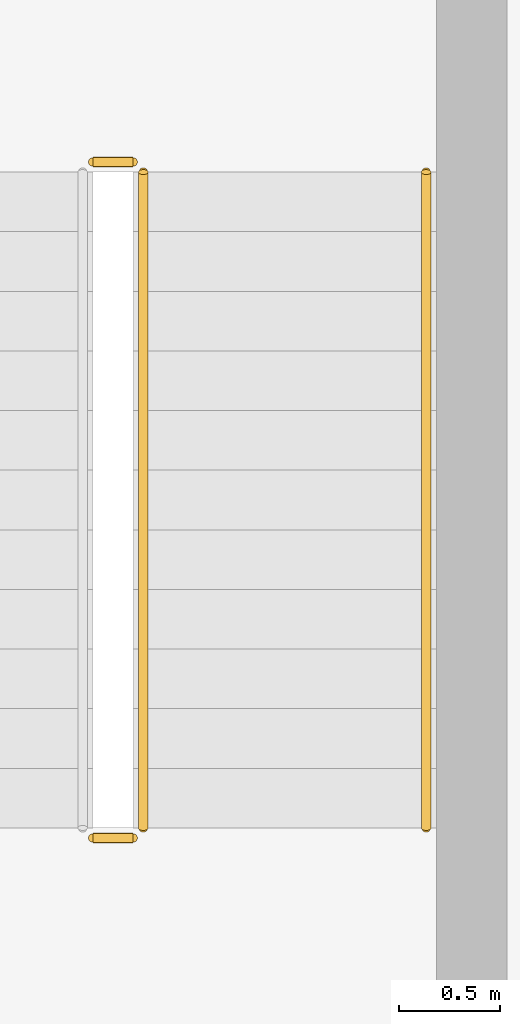
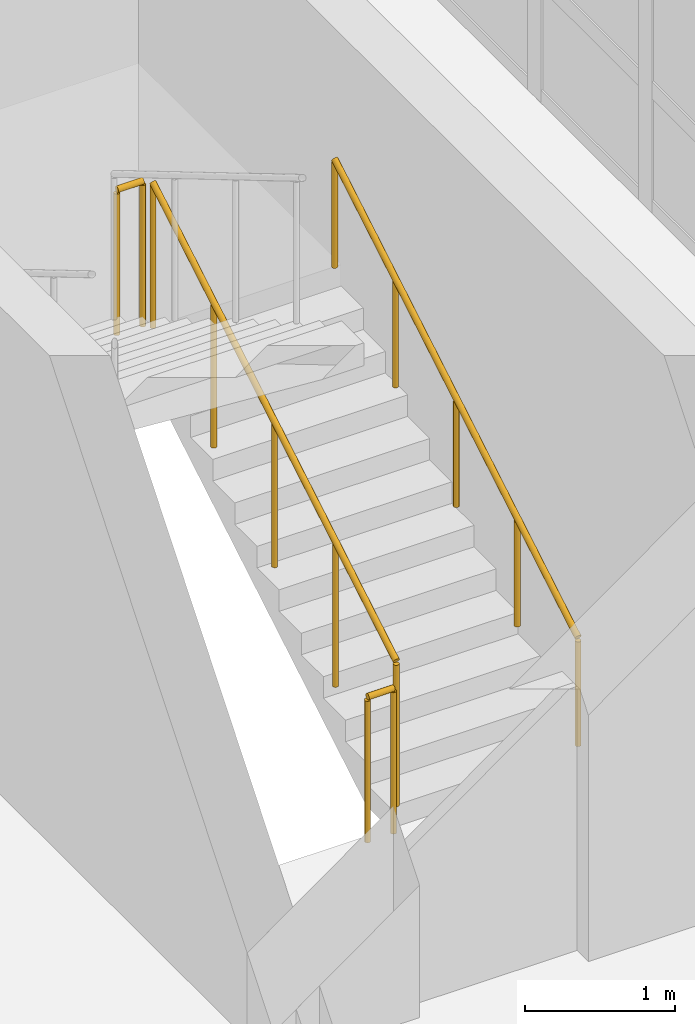
# One storey, part 83 of 88: 4 railings.
"""IFC4 building model written with IfcOpenShell, lengths in metres."""

from ifc_helpers import new_model, si_unit, direction, frame, origin, origin_2d, place, context, subcontext, project, spatial, circle, extrude, material, layer, layer_set, type_object, element, save


model = new_model("IFC4")

# Units and contexts
model_context = context("Model", 3, precision=1e-05, world=origin(), true_north=direction((0.0, 1.0)))
body_context = subcontext(model_context, "Body", "Model", "MODEL_VIEW")
ifc_project = project(units=[si_unit("LENGTHUNIT", "METRE"), si_unit("AREAUNIT", "SQUARE_METRE"), si_unit("VOLUMEUNIT", "CUBIC_METRE"), si_unit("PLANEANGLEUNIT", "RADIAN"), si_unit("MASSUNIT", "GRAM", prefix="KILO")], contexts=[model_context])

# Site, building, storey
site_placement = place(None, origin())
site = spatial("IfcSite", under=ifc_project, at=site_placement, CompositionType="ELEMENT")
building_placement = place(site_placement, origin())
building = spatial("IfcBuilding", under=site, at=building_placement, Name="Nordkorset Police Headquarters", CompositionType="ELEMENT")
storey_placement = place(building_placement, frame((0.0, 0.0, 9.449951171875)))
storey = spatial("IfcBuildingStorey", under=building, at=storey_placement, Name="L02", CompositionType="ELEMENT", Elevation=9.449951171875)

# Railings
ifc_material_1 = material(Name="Steel S355J2", Category="steel")
ifc_layer_1 = layer(ifc_material_1, 0.048095703125, Name="Steel S355J2")
ifc_layer_set_1 = layer_set([ifc_layer_1], Name="Steel S355J2")
railing_type_1 = type_object("IfcRailingType", Name="Railing_Handrail_900", PredefinedType="HANDRAIL", material=ifc_layer_set_1)
railing_1_placement = place(storey_placement, frame((111.52490234375, 54.02490234375, 0.175048828125)))
element("IfcRailing", 1, at=railing_1_placement, inside=storey, type_object=railing_type_1, Name="L02 ST-09 stair handrail 1", PredefinedType="HANDRAIL", context=body_context, shape_type="SweptSolid", body=[
    extrude(circle(Radius=0.02392578125, at=origin_2d()), frame((0.0, 0.0, 0.8759765625), z_axis=(0.0, 0.860057060016, 0.510197857224), x_axis=(-1.0, 0.0, 0.0)), (0.0, 0.0, 1.0), 3.773193359375),
    extrude(circle(Radius=0.02099609375, at=origin_2d()), origin(), (0.0, 0.0, 1.0), 0.851806640625),
    extrude(circle(Radius=0.02099609375, at=origin_2d()), frame((0.0, 0.811279296875, 0.481201171875)), (0.0, 0.0, 1.0), 0.851806640625),
    extrude(circle(Radius=0.02099609375, at=origin_2d()), frame((0.0, 1.62255859375, 0.96240234375)), (0.0, 0.0, 1.0), 0.851806640625),
    extrude(circle(Radius=0.02099609375, at=origin_2d()), frame((0.0, 2.433837890625, 1.44384765625)), (0.0, 0.0, 1.0), 0.851806640625),
    extrude(circle(Radius=0.02099609375, at=origin_2d()), frame((0.0, 3.2451171875, 1.925048828125)), (0.0, 0.0, 1.0), 0.851806640625),
])
ifc_material_2 = material(Name="Steel S355J2", Category="steel")
ifc_layer_2 = layer(ifc_material_2, 0.050048828125, Name="Steel S355J2")
ifc_layer_set_2 = layer_set([ifc_layer_2], Name="Steel S355J2")
railing_type_2 = type_object("IfcRailingType", Name="Railing_StairGuard_1200", PredefinedType="GUARDRAIL", material=ifc_layer_set_2)
railing_2_placement = place(storey_placement, frame((110.125, 54.02490234375, 0.175048828125)))
element("IfcRailing", 2, at=railing_2_placement, inside=storey, type_object=railing_type_2, Name="L02 ST-09 stair guard 1", PredefinedType="GUARDRAIL", context=body_context, shape_type="SweptSolid", body=[
    extrude(circle(Radius=0.02392578125, at=origin_2d()), frame((0.0, 0.0, 1.17578125), z_axis=(0.0, 0.860057060016, 0.510197857224), x_axis=(-1.0, 0.0, 0.0)), (0.0, 0.0, 1.0), 3.773193359375),
    extrude(circle(Radius=0.02099609375, at=origin_2d()), origin(), (0.0, 0.0, 1.0), 1.15185546875),
    extrude(circle(Radius=0.02099609375, at=origin_2d()), frame((0.0, 0.811279296875, 0.481201171875)), (0.0, 0.0, 1.0), 1.15185546875),
    extrude(circle(Radius=0.02099609375, at=origin_2d()), frame((0.0, 1.62255859375, 0.96240234375)), (0.0, 0.0, 1.0), 1.15185546875),
    extrude(circle(Radius=0.02099609375, at=origin_2d()), frame((0.0, 2.433837890625, 1.44384765625)), (0.0, 0.0, 1.0), 1.15185546875),
    extrude(circle(Radius=0.02099609375, at=origin_2d()), frame((0.0, 3.2451171875, 1.925048828125)), (0.0, 0.0, 1.0), 1.15185546875),
])
for number, where, name in (
    (3, (110.074951171875, 57.320068359375, 2.10009765625), "L02 ST-09 stair guard 2"),
    (4, (110.074951171875, 53.97509765625, 0.0), "L02 ST-09 stair guard 4"),
):
    element("IfcRailing", number, at=place(storey_placement, frame(where)), inside=storey, type_object=railing_type_2, Name=name, PredefinedType="GUARDRAIL", context=body_context, shape_type="SweptSolid", body=[
        extrude(circle(Radius=0.02392578125, at=origin_2d()), frame((0.0, 0.0, 1.17578125), z_axis=(-1.0, 0.0, 0.0), x_axis=(0.0, -1.0, 0.0)), (0.0, 0.0, 1.0), 0.199951171875),
        extrude(circle(Radius=0.02099609375, at=origin_2d()), origin(), (0.0, 0.0, 1.0), 1.15185546875),
        extrude(circle(Radius=0.02099609375, at=origin_2d()), frame((-0.199951171875, 0.0, 0.0)), (0.0, 0.0, 1.0), 1.15185546875),
    ])

save(model, "model.ifc")
